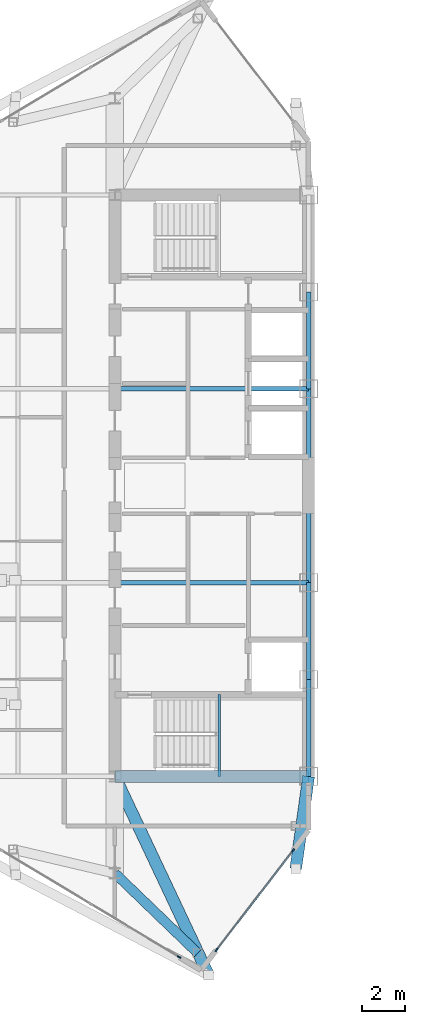
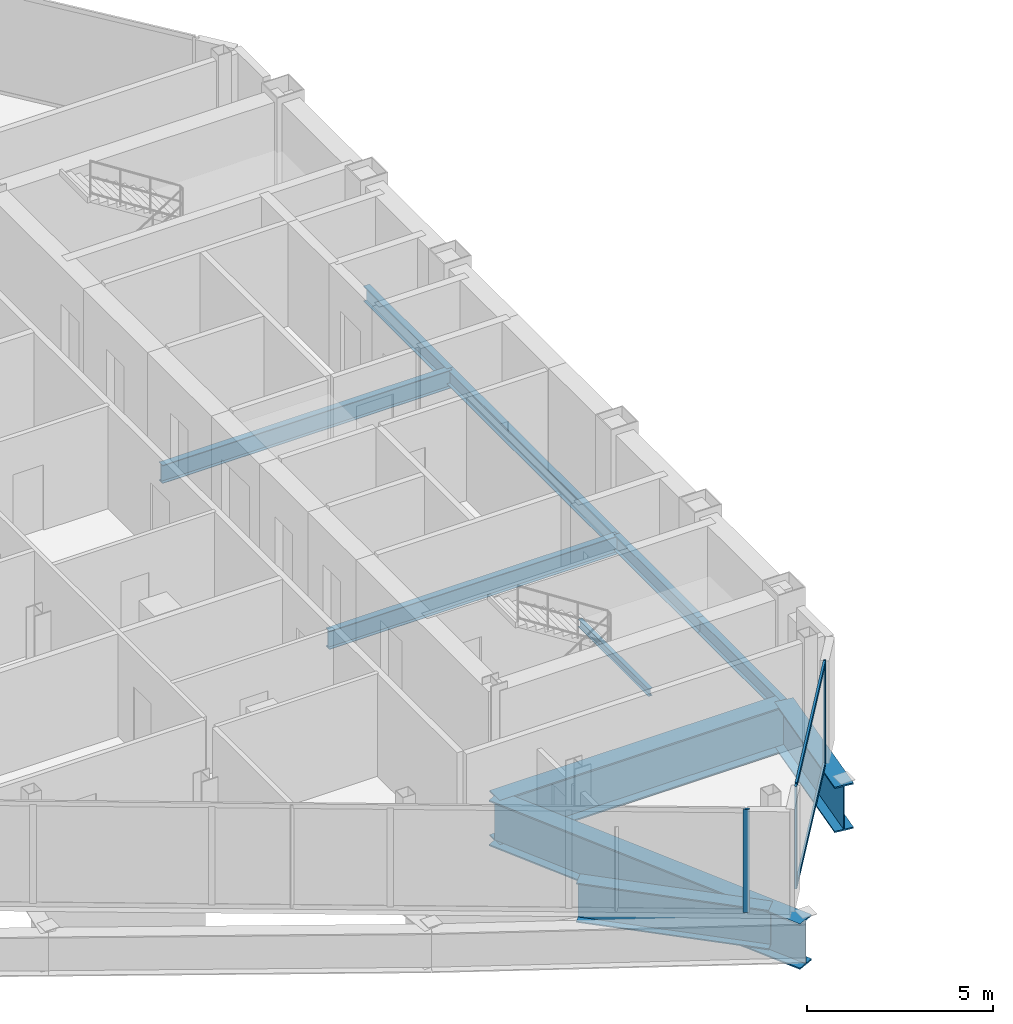
# One storey, part 9 of 29: 11 beams, 5 members, 2 elements without a shape of their own.
"""IFC4 building model written with IfcOpenShell, lengths in metres."""

from ifc_helpers import new_model, si_unit, direction, frame, origin, origin_2d, place, context, subcontext, project, spatial, rectangle, i_section, extrude, source, transform, mapped, material, layer, layer_set, material_profile, profile_set, type_object, type_shapes, element, aggregate, save


model = new_model("IFC4")

# Units and contexts
model_context = context("Model", 3, precision=1e-05, world=origin(), true_north=direction((0.0, 1.0)))
body_context = subcontext(model_context, "Body", "Model", "MODEL_VIEW")
ifc_project = project(units=[si_unit("LENGTHUNIT", "METRE"), si_unit("AREAUNIT", "SQUARE_METRE"), si_unit("VOLUMEUNIT", "CUBIC_METRE"), si_unit("PLANEANGLEUNIT", "RADIAN"), si_unit("MASSUNIT", "GRAM", prefix="KILO")], contexts=[model_context])

# Site, building, storey
site_placement = place(None, origin())
site = spatial("IfcSite", under=ifc_project, at=site_placement, CompositionType="ELEMENT")
building_placement = place(site_placement, origin())
building = spatial("IfcBuilding", under=site, at=building_placement, Name="Seokmaru Belvedere", CompositionType="ELEMENT")
storey_placement = place(building_placement, frame((0.0, 0.0, 195.89990234375)))
storey = spatial("IfcBuildingStorey", under=building, at=storey_placement, Name="L52", CompositionType="ELEMENT", Elevation=195.89990234375)

# Beams
ifc_material_1 = material(Name="Steel SM355 (355 MPa)", Category="steel")
ifc_material_profile_1 = material_profile(ifc_material_1, i_section(OverallWidth=0.199951171875, OverallDepth=0.5, WebThickness=0.010009765625, FlangeThickness=0.01611328125, at=origin_2d()), Name="H-500x200x10x16")
ifc_profile_set_1 = profile_set([ifc_material_profile_1], Name="Steel SM355 (355 MPa)")
beam_type_1 = type_object("IfcBeamType", Name="Perimeter Spandrel Beam H-500", PredefinedType="SPANDREL", material=ifc_profile_set_1)
shared_shape_1 = source(origin(), body_context, "Body", "SweptSolid", [
    extrude(i_section(OverallWidth=0.199951171875, OverallDepth=0.5, WebThickness=0.010009765625, FlangeThickness=0.01611328125, at=origin_2d()), origin(), (0.0, 0.0, 1.0), 4.5),
])
for number, where, z_axis, x_axis, name in (
    (1, (-27.5, -13.5, -0.469970703125), (0.0, 1.0, 0.0), (-1.0, 0.0, 0.0), "L52 W Portal Spine Spandrel 1"),
    (2, (-27.5, -9.0, -0.469970703125), (0.0, 1.0, 0.0), (-1.0, 0.0, 0.0), "L52 W Portal Spine Spandrel 2"),
    (3, (-27.5, 4.5, -0.469970703125), (0.0, 1.0, 0.0), (-1.0, 0.0, 0.0), "L52 W Portal Spine Spandrel 4"),
):
    element("IfcBeam", number, at=place(storey_placement, frame(where, z_axis=z_axis, x_axis=x_axis)), inside=storey, type_object=beam_type_1, Name=name, PredefinedType="SPANDREL", context=body_context, shape_type="MappedRepresentation", body=[
        mapped(shared_shape_1, transform((0.0, 0.0, 0.0), scale=1.0)),
    ])
shared_shape_2 = source(origin(), body_context, "Body", "SweptSolid", [
    extrude(i_section(OverallWidth=0.199951171875, OverallDepth=0.5, WebThickness=0.010009765625, FlangeThickness=0.01611328125, at=origin_2d()), origin(), (0.0, 0.0, 1.0), 9.0),
])
type_shapes(beam_type_1, [shared_shape_1, shared_shape_2])
beam_1_placement = place(storey_placement, frame((-27.5, -4.5, -0.469970703125), z_axis=(0.0, 1.0, 0.0), x_axis=(-1.0, 0.0, 0.0)))
element("IfcBeam", 4, at=beam_1_placement, inside=storey, type_object=beam_type_1, Name="L52 W Portal Spine Spandrel 3", PredefinedType="SPANDREL", context=body_context, shape_type="MappedRepresentation", body=[
    mapped(shared_shape_2, transform((0.0, 0.0, 0.0), scale=1.0)),
])
ifc_material_2 = material(Name="Steel HSA650 (650 MPa)", Category="steel")
ifc_material_profile_2 = material_profile(ifc_material_2, i_section(OverallWidth=0.550048828125, OverallDepth=1.5, WebThickness=0.028076171875, FlangeThickness=0.044921875, at=origin_2d()), Name="BH-1500x550x28x45")
ifc_profile_set_2 = profile_set([ifc_material_profile_2], Name="Steel HSA650 (650 MPa)")
beam_type_2 = type_object("IfcBeamType", Name="Setback Transfer Girder BH-1500", PredefinedType="BEAM", material=ifc_profile_set_2)
shared_shape_3 = source(origin(), body_context, "Body", "SweptSolid", [
    extrude(i_section(OverallWidth=0.550048828125, OverallDepth=1.5, WebThickness=0.028076171875, FlangeThickness=0.044921875, at=origin_2d()), origin(), (0.0, 0.0, 1.0), 9.0),
])
beam_2_placement = place(storey_placement, frame((-36.5, -13.5, -0.969970703125), z_axis=(1.0, 0.0, 0.0), x_axis=(0.0, 1.0, 0.0)))
element("IfcBeam", 5, at=beam_2_placement, inside=storey, type_object=beam_type_2, Name="L52 W Core Transfer Header 1", PredefinedType="BEAM", context=body_context, shape_type="MappedRepresentation", body=[
    mapped(shared_shape_3, transform((0.0, 0.0, 0.0), scale=1.0)),
])
ifc_material_profile_3 = material_profile(ifc_material_1, i_section(OverallWidth=0.199951171875, OverallDepth=0.60009765625, WebThickness=0.010986328125, FlangeThickness=0.01708984375, at=origin_2d()), Name="H-600x200x11x17")
ifc_profile_set_3 = profile_set([ifc_material_profile_3], Name="Steel SM355 (355 MPa)")
beam_type_3 = type_object("IfcBeamType", Name="Primary Floor Girder H-600", PredefinedType="BEAM", material=ifc_profile_set_3)
shared_shape_4 = source(origin(), body_context, "Body", "SweptSolid", [
    extrude(i_section(OverallWidth=0.199951171875, OverallDepth=0.60009765625, WebThickness=0.010986328125, FlangeThickness=0.01708984375, at=origin_2d()), origin(), (0.0, 0.0, 1.0), 9.0),
])
type_shapes(beam_type_3, [shared_shape_4])
for number, where, z_axis, x_axis, name in (
    (6, (-36.5, -4.5, -0.52001953125), (1.0, 0.0, 0.0), (0.0, 1.0, 0.0), "L52 W Core Tie Girder 2"),
    (7, (-36.5, 4.5, -0.52001953125), (1.0, 0.0, 0.0), (0.0, 1.0, 0.0), "L52 W Core Tie Girder 3"),
):
    element("IfcBeam", number, at=place(storey_placement, frame(where, z_axis=z_axis, x_axis=x_axis)), inside=storey, type_object=beam_type_3, Name=name, PredefinedType="BEAM", context=body_context, shape_type="MappedRepresentation", body=[
        mapped(shared_shape_4, transform((0.0, 0.0, 0.0), scale=1.0)),
    ])
shared_shape_5 = source(origin(), body_context, "Body", "SweptSolid", [
    extrude(i_section(OverallWidth=0.550048828125, OverallDepth=1.5, WebThickness=0.028076171875, FlangeThickness=0.044921875, at=origin_2d()), origin(), (0.0, 0.0, 1.0), 4.32763671875),
])
beam_3_placement = place(storey_placement, frame((-28.10009765625, -17.785888671875, -0.969970703125), z_axis=(0.138664443237, 0.990339422714, 0.0), x_axis=(-0.990339422714, 0.138664443237, 0.0)))
element("IfcBeam", 8, at=beam_3_placement, inside=storey, type_object=beam_type_2, Name="L52 W Setback Transfer Girder 1", PredefinedType="BEAM", context=body_context, shape_type="MappedRepresentation", body=[
    mapped(shared_shape_5, transform((0.0, 0.0, 0.0), scale=1.0)),
])
shared_shape_6 = source(origin(), body_context, "Body", "SweptSolid", [
    extrude(i_section(OverallWidth=0.550048828125, OverallDepth=1.5, WebThickness=0.028076171875, FlangeThickness=0.044921875, at=origin_2d()), origin(), (0.0, 0.0, 1.0), 10.20654296875),
])
type_shapes(beam_type_2, [shared_shape_3, shared_shape_5, shared_shape_6])
beam_4_placement = place(storey_placement, frame((-32.146728515625, -22.731689453125, -0.969970703125), z_axis=(-0.426514565186, 0.904480693926, 0.0), x_axis=(-0.904480693926, -0.426514565186, 0.0)))
element("IfcBeam", 9, at=beam_4_placement, inside=storey, type_object=beam_type_2, Name="L52 W Setback Transfer Girder 6", PredefinedType="BEAM", context=body_context, shape_type="MappedRepresentation", body=[
    mapped(shared_shape_6, transform((0.0, 0.0, 0.0), scale=1.0)),
])
ifc_material_profile_4 = material_profile(ifc_material_2, i_section(OverallWidth=0.449951171875, OverallDepth=1.300048828125, WebThickness=0.02197265625, FlangeThickness=0.0380859375, at=origin_2d()), Name="BH-1300x450x22x38")
ifc_profile_set_4 = profile_set([ifc_material_profile_4], Name="Steel HSA650 (650 MPa)")
beam_type_4 = type_object("IfcBeamType", Name="Observatory Long-Span Roof Girder BH-1300", PredefinedType="BEAM", material=ifc_profile_set_4)
shared_shape_7 = source(origin(), body_context, "Body", "SweptSolid", [
    extrude(i_section(OverallWidth=0.449951171875, OverallDepth=1.300048828125, WebThickness=0.02197265625, FlangeThickness=0.0380859375, at=origin_2d()), origin(), (0.0, 0.0, 1.0), 5.34716796875),
])
type_shapes(beam_type_4, [shared_shape_7])
beam_5_placement = place(storey_placement, frame((-32.649658203125, -21.71044921875, -0.869873046875), z_axis=(-0.72006669236, 0.693904862754, 0.0), x_axis=(-0.693904862754, -0.72006669236, 0.0)))
element("IfcBeam", 10, at=beam_5_placement, inside=storey, type_object=beam_type_4, Name="L52 W Shoulder Sanity Tie Girder 6", PredefinedType="BEAM", context=body_context, shape_type="MappedRepresentation", body=[
    mapped(shared_shape_7, transform((0.0, 0.0, 0.0), scale=1.0)),
])

# Curtain wall, member
ifc_material_3 = material(Name="Bronze Triple Insulating Glass", Category="glass")
ifc_layer = layer(ifc_material_3, 0.179931640625)
ifc_layer_set = layer_set([ifc_layer], Name="Bronze Triple Insulating Glass")
curtain_wall_type = type_object("IfcCurtainWallType", Name="High-Rise Wind-Corner Curtain Wall System CW-5", PredefinedType="NOTDEFINED", material=ifc_layer_set)
curtain_wall_1_placement = place(storey_placement, origin())
curtain_wall_1 = element("IfcCurtainWall", 11, at=curtain_wall_1_placement, inside=storey, type_object=curtain_wall_type, Name="L52 Curtain Wall WF5", PredefinedType="NOTDEFINED")
ifc_material_4 = material(Name="Anodised Bronze Aluminium", Category="aluminium")
ifc_material_profile_5 = material_profile(ifc_material_4, rectangle(XDim=0.06494140625, YDim=0.179931640625, at=origin_2d()), Name="CW-M-65x180")
ifc_profile_set_5 = profile_set([ifc_material_profile_5], Name="Anodised Bronze Aluminium")
member_type_1 = type_object("IfcMemberType", Name="Bronze Unitised Mullion 65x180", PredefinedType="MULLION", material=ifc_profile_set_5)
shared_shape_8 = source(origin(), body_context, "Body", "SweptSolid", [
    extrude(rectangle(XDim=0.06494140625, YDim=0.179931640625, at=origin_2d()), origin(), (0.0, 0.0, 1.0), 3.380126953125),
])
type_shapes(member_type_1, [shared_shape_8])
member_1_placement = place(storey_placement, frame((-33.513916015625, -21.8916015625, 0.0), z_axis=(0.0, 0.0, 1.0), x_axis=(0.514494909364, 0.85749343335, 0.0)))
member_1 = element("IfcMember", 12, at=member_1_placement, type_object=member_type_1, Name="CW:L52:WF5 Mullion 9", PredefinedType="MULLION", context=body_context, shape_type="MappedRepresentation", body=[
    mapped(shared_shape_8, transform((0.0, 0.0, 0.0), scale=1.0)),
])
aggregate(curtain_wall_1, [member_1])

# Curtain wall, members
curtain_wall_2_placement = place(storey_placement, origin())
curtain_wall_2 = element("IfcCurtainWall", 13, at=curtain_wall_2_placement, inside=storey, type_object=curtain_wall_type, Name="L52 Curtain Wall WF6", PredefinedType="NOTDEFINED")
member_2_placement = place(storey_placement, frame((-31.779052734375, -21.562744140625, 0.0), z_axis=(0.0, 0.0, 1.0), x_axis=(-0.792631353244, 0.609701187349, 0.0)))
member_2 = element("IfcMember", 14, at=member_2_placement, type_object=member_type_1, Name="CW:L52:WF6 Mullion 1", PredefinedType="MULLION", context=body_context, shape_type="MappedRepresentation", body=[
    mapped(shared_shape_8, transform((0.0, 0.0, 0.0), scale=1.0)),
])
member_3_placement = place(storey_placement, frame((-28.220947265625, -16.937255859375, 0.0), z_axis=(0.0, 0.0, 1.0), x_axis=(-0.792631353244, 0.609701187349, 0.0)))
member_3 = element("IfcMember", 15, at=member_3_placement, type_object=member_type_1, Name="CW:L52:WF6 Mullion 2", PredefinedType="MULLION", context=body_context, shape_type="MappedRepresentation", body=[
    mapped(shared_shape_8, transform((0.0, 0.0, 0.0), scale=1.0)),
])
ifc_material_profile_6 = material_profile(ifc_material_4, rectangle(XDim=0.06494140625, YDim=0.14990234375, at=origin_2d()), Name="CW-T-65x150")
ifc_profile_set_6 = profile_set([ifc_material_profile_6], Name="Anodised Bronze Aluminium")
member_type_2 = type_object("IfcMemberType", Name="Bronze Unitised Transom 65x150", PredefinedType="USERDEFINED", material=ifc_profile_set_6)
shared_shape_9 = source(origin(), body_context, "Body", "SweptSolid", [
    extrude(rectangle(XDim=0.06494140625, YDim=0.14990234375, at=origin_2d()), origin(), (0.0, 0.0, 1.0), 5.77099609375),
])
type_shapes(member_type_2, [shared_shape_9])
member_4_placement = place(storey_placement, frame((-31.75927734375, -21.537109375, 0.03271484375), z_axis=(0.60970258286, 0.792630279799, 0.0), x_axis=(-0.792630279799, 0.60970258286, 0.0)))
member_4 = element("IfcMember", 16, at=member_4_placement, type_object=member_type_2, Name="CW:L52:WF6 Continuous Transom 1", ObjectType="TRANSOM", PredefinedType="USERDEFINED", context=body_context, shape_type="MappedRepresentation", body=[
    mapped(shared_shape_9, transform((0.0, 0.0, 0.0), scale=1.0)),
])
member_5_placement = place(storey_placement, frame((-31.75927734375, -21.537109375, 3.34765625), z_axis=(0.60970258286, 0.792630279799, 0.0), x_axis=(-0.792630279799, 0.60970258286, 0.0)))
member_5 = element("IfcMember", 17, at=member_5_placement, type_object=member_type_2, Name="CW:L52:WF6 Continuous Transom 2", ObjectType="TRANSOM", PredefinedType="USERDEFINED", context=body_context, shape_type="MappedRepresentation", body=[
    mapped(shared_shape_9, transform((0.0, 0.0, 0.0), scale=1.0)),
])
aggregate(curtain_wall_2, [member_2, member_3, member_4, member_5])

# Beam
ifc_material_profile_7 = material_profile(ifc_material_1, i_section(OverallWidth=0.125, OverallDepth=0.25, WebThickness=0.006103515625, FlangeThickness=0.009033203125, at=origin_2d()), Name="H-250x125x6x9")
ifc_profile_set_7 = profile_set([ifc_material_profile_7], Name="Steel SM355 (355 MPa)")
beam_type_5 = type_object("IfcBeamType", Name="Stair Mid-Landing Support Beam H-250", PredefinedType="JOIST", material=ifc_profile_set_7)
shared_shape_10 = source(origin(), body_context, "Body", "SweptSolid", [
    extrude(i_section(OverallWidth=0.125, OverallDepth=0.25, WebThickness=0.006103515625, FlangeThickness=0.009033203125, at=origin_2d()), origin(), (0.0, 0.0, 1.0), 3.800048828125),
])
type_shapes(beam_type_5, [shared_shape_10])
beam_6_placement = place(storey_placement, frame((-31.64990234375, -13.5, 1.47509765625), z_axis=(0.0, 1.0, 0.0), x_axis=(-1.0, 0.0, 0.0)))
element("IfcBeam", 18, at=beam_6_placement, inside=storey, type_object=beam_type_5, Name="L52 Stair ST-W1 Mid-Landing Support Beam 1", PredefinedType="JOIST", context=body_context, shape_type="MappedRepresentation", body=[
    mapped(shared_shape_10, transform((0.0, 0.0, 0.0), scale=1.0)),
])

save(model, "model.ifc")
